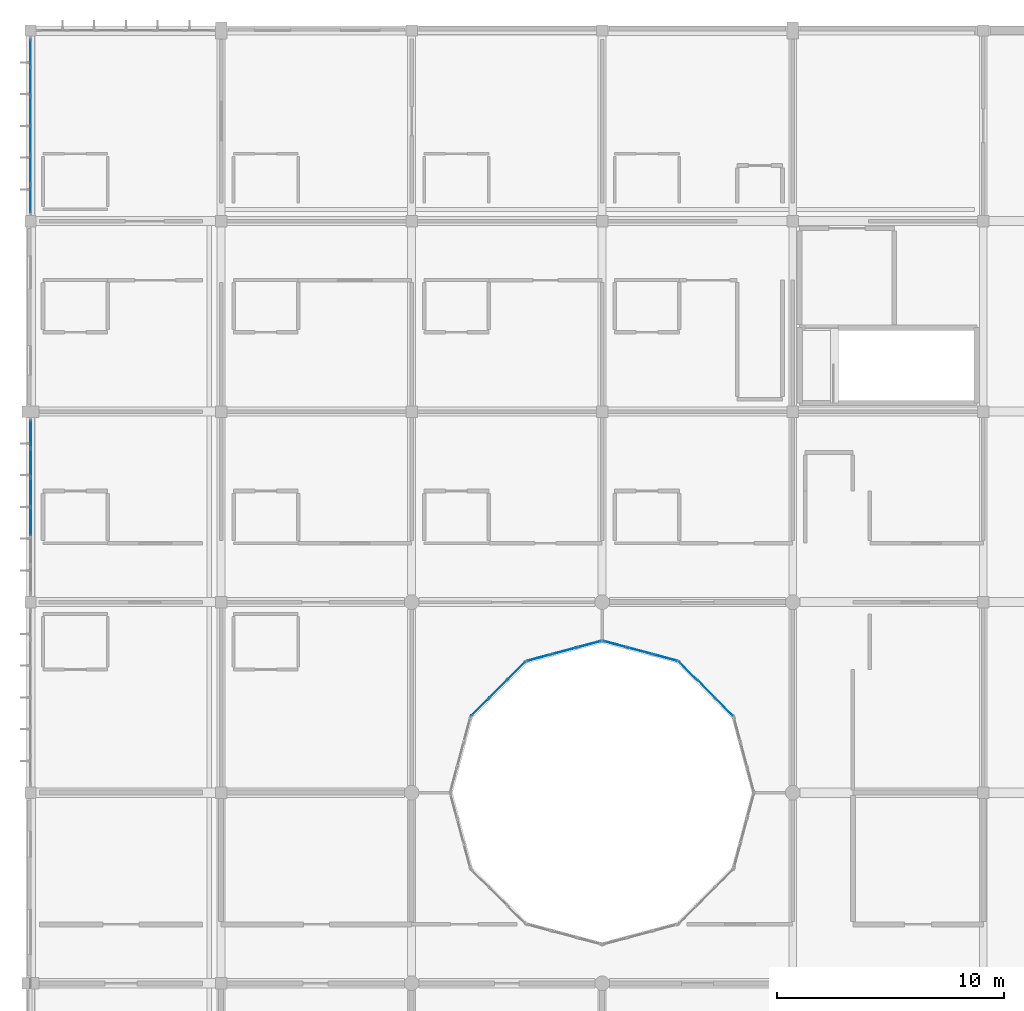
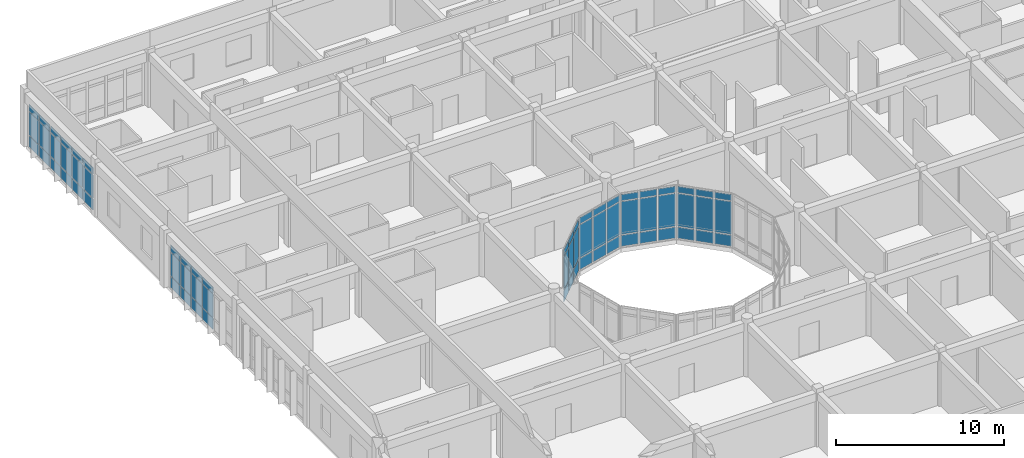
# One storey, part 64 of 119: 66 plates, 6 elements without a shape of their own.
"""IFC4 building model written with IfcOpenShell, lengths in metres."""

import ifcopenshell
import ifcopenshell.guid

model = None  # the IFC model being written
_history = None  # IfcOwnerHistory: only IFC2X3 demands one
_inside = {}  # id of a spatial element -> (the spatial element, [elements in it])
_under = {}  # id of a project, library or spatial element -> (it, [spatial elements below it])
_declared = {}  # id of a project -> (the project, [libraries it declares])
_typed = {}  # id of a type object -> (the type object, [elements of that type])
_made_of = {}  # id of a material, layer set ... -> (it, [elements and type objects made of it])


def new_model(schema):
    """Start an empty IFC model of exactly this schema.

    Asked for "IFC4X3", IfcOpenShell would pick the latest addendum, in which some entities
    have other attributes; the version numbers below select the first issue.
    IFC2X3 requires an IfcOwnerHistory on every rooted entity: one is made here for all.
    """
    global model, _history
    if schema == "IFC4X3":
        model = ifcopenshell.file(schema_version=(4, 3, 0, 0))
    else:
        model = ifcopenshell.file(schema=schema)
    _inside.clear()
    _under.clear()
    _declared.clear()
    _typed.clear()
    _made_of.clear()
    _history = None
    if model.schema == "IFC2X3":
        org = make("IfcOrganization", Name="unknown")
        user = make(
            "IfcPersonAndOrganization",
            ThePerson=make("IfcPerson", FamilyName="unknown"),
            TheOrganization=org,
        )
        app = make(
            "IfcApplication",
            ApplicationDeveloper=org,
            Version="unknown",
            ApplicationFullName="unknown",
            ApplicationIdentifier="unknown",
        )
        _history = make(
            "IfcOwnerHistory",
            OwningUser=user,
            OwningApplication=app,
            ChangeAction="ADDED",
            CreationDate=0,
        )
    return model


def make(cls, **values):
    """One entity of the class cls with the attributes given. An attribute that is None is left unset."""
    return model.create_entity(
        cls, **{name: value for name, value in values.items() if value is not None}
    )


def rooted(cls, **values):
    """An entity with a GlobalId (a new one), such as an element, a storey or a relation."""
    return make(cls, GlobalId=ifcopenshell.guid.new(), OwnerHistory=_history, **values)


def si_unit(unit_type, name, prefix=None):
    """IfcSIUnit, for example si_unit("LENGTHUNIT", "METRE", prefix="MILLI")."""
    return make("IfcSIUnit", UnitType=unit_type, Prefix=prefix, Name=name)


def assignment(units):
    """IfcUnitAssignment: the units of a project."""
    return None if units is None else make("IfcUnitAssignment", Units=units)


def point(xyz):
    """IfcCartesianPoint."""
    return None if xyz is None else make("IfcCartesianPoint", Coordinates=xyz)


def direction(xyz):
    """IfcDirection."""
    return None if xyz is None else make("IfcDirection", DirectionRatios=xyz)


def frame(location, z_axis=None, x_axis=None):
    """IfcAxis2Placement3D, a coordinate frame: its origin and axes. An axis left out is left unset."""
    return make(
        "IfcAxis2Placement3D",
        Location=point(location),
        Axis=direction(z_axis),
        RefDirection=direction(x_axis),
    )


def frame_2d(location, x_axis=None):
    """IfcAxis2Placement2D, a coordinate frame in the plane: its origin and x axis."""
    return make(
        "IfcAxis2Placement2D", Location=point(location), RefDirection=direction(x_axis)
    )


def origin():
    """The frame at (0, 0, 0) with its axes left unset."""
    return frame((0.0, 0.0, 0.0))


def origin_2d():
    """The frame at (0, 0) in the plane with its x axis left unset."""
    return frame_2d((0.0, 0.0))


def place(relative_to, where):
    """IfcLocalPlacement: puts the frame where relative to a parent placement (None: the world)."""
    return make(
        "IfcLocalPlacement", PlacementRelTo=relative_to, RelativePlacement=where
    )


def context(
    kind, dimensions, precision=None, world=None, true_north=None, identifier=None
):
    """IfcGeometricRepresentationContext, for example the 3D "Model" context."""
    return make(
        "IfcGeometricRepresentationContext",
        ContextIdentifier=identifier,
        ContextType=kind,
        CoordinateSpaceDimension=dimensions,
        Precision=precision,
        WorldCoordinateSystem=world,
        TrueNorth=true_north,
    )


def subcontext(parent, identifier, kind, view, scale=None):
    """IfcGeometricRepresentationSubContext, for example "Body" below "Model"."""
    return make(
        "IfcGeometricRepresentationSubContext",
        ContextIdentifier=identifier,
        ContextType=kind,
        ParentContext=parent,
        TargetScale=scale,
        TargetView=view,
    )


def project(units=None, contexts=None):
    """IfcProject with its units and contexts."""
    return rooted(
        "IfcProject",
        Name="project",
        RepresentationContexts=contexts,
        UnitsInContext=assignment(units),
    )


def spatial(cls, under=None, at=None, **own):
    """A site, building, storey or space (cls), placed at a placement, below another one or the project."""
    s = rooted(cls, ObjectPlacement=at, **own)
    if under is not None:
        _under.setdefault(under.id(), (under, []))[1].append(s)
    return s


def profile(cls, at=None, kind="AREA", **sizes):
    """A parametric profile (cls). Its sizes go by their IFC names, for example OverallWidth=200.0."""
    return make(cls, ProfileType=kind, Position=at, **sizes)


def rectangle(**sizes):
    """IfcRectangleProfileDef."""
    return profile("IfcRectangleProfileDef", **sizes)


def extrude(swept, where, along, depth):
    """IfcExtrudedAreaSolid: the profile swept, set in the frame where, extruded along a direction by depth."""
    return make(
        "IfcExtrudedAreaSolid",
        SweptArea=swept,
        Position=where,
        ExtrudedDirection=direction(along),
        Depth=depth,
    )


def shape(context_of_items, identifier, shape_type, items):
    """IfcShapeRepresentation: the items that make up one representation, for example the "Body"."""
    return make(
        "IfcShapeRepresentation",
        ContextOfItems=context_of_items,
        RepresentationIdentifier=identifier,
        RepresentationType=shape_type,
        Items=items,
    )


def material(Name=None, Category=None):
    """IfcMaterial."""
    return make("IfcMaterial", Name=Name, Category=Category)


def layer(
    of_material, thickness, ventilated=None, Name=None, Category=None, Priority=None
):
    """IfcMaterialLayer: one layer of a wall or slab, of a material (None: an air gap)."""
    return make(
        "IfcMaterialLayer",
        Material=of_material,
        LayerThickness=thickness,
        IsVentilated=ventilated,
        Name=Name,
        Category=Category,
        Priority=Priority,
    )


def layer_set(layers, Name=None):
    """IfcMaterialLayerSet."""
    return make("IfcMaterialLayerSet", MaterialLayers=layers, LayerSetName=Name)


def made_of(thing, what):
    """Note that an element or type object is made of a material, layer set ...; save() writes the relation."""
    if what is not None:
        _made_of.setdefault(what.id(), (what, []))[1].append(thing)
    return thing


def type_object(cls, material=None, **own):
    """A type object (cls), such as IfcWallType, which elements share."""
    return made_of(rooted(cls, **own), material)


def element(
    cls,
    number,
    at=None,
    inside=None,
    cuts=None,
    type_object=None,
    material=None,
    context=None,
    identifier="Body",
    shape_type=None,
    held_by="IfcProductDefinitionShape",
    body=None,
    shapes=None,
    **own,
):
    """One element of the class cls, such as IfcWall. Its Tag is "e" and its number.

    at: its placement. inside: the storey or other place that contains it. cuts: it is an
    opening in that element (IfcRelVoidsElement). A single representation is given by context,
    identifier, shape_type and body (its items); several are given by shapes. held_by: the class
    of the entity that holds the representations. save() writes the other relations.
    """
    e = rooted(cls, Tag="e%d" % number, ObjectPlacement=at, **own)
    if body is not None:
        shapes = [shape(context, identifier, shape_type, body)]
    if shapes is not None:
        e.Representation = make(held_by, Representations=shapes)
    if inside is not None:
        _inside.setdefault(inside.id(), (inside, []))[1].append(e)
    if cuts is not None:
        rooted(
            "IfcRelVoidsElement", RelatingBuildingElement=cuts, RelatedOpeningElement=e
        )
    if type_object is not None:
        _typed.setdefault(type_object.id(), (type_object, []))[1].append(e)
    return made_of(e, material)


def aggregate(whole, parts):
    """IfcRelAggregates: a whole, such as a stair, and the parts it consists of."""
    return rooted("IfcRelAggregates", RelatingObject=whole, RelatedObjects=parts)


def save(model, path):
    """Write the relations noted so far, then the file.

    IfcRelAggregates (storeys below a building ...), IfcRelContainedInSpatialStructure (elements
    in a storey), IfcRelDefinesByType, IfcRelAssociatesMaterial and IfcRelDeclares: one each for
    every whole, place, type object, material and project.
    """
    for whole, parts in _under.values():
        aggregate(whole, parts)
    for where, things in _inside.values():
        rooted(
            "IfcRelContainedInSpatialStructure",
            RelatedElements=things,
            RelatingStructure=where,
        )
    for kind, things in _typed.values():
        rooted("IfcRelDefinesByType", RelatedObjects=things, RelatingType=kind)
    for what, things in _made_of.values():
        rooted("IfcRelAssociatesMaterial", RelatedObjects=things, RelatingMaterial=what)
    for by, libraries in _declared.values():
        rooted("IfcRelDeclares", RelatingContext=by, RelatedDefinitions=libraries)
    model.write(path)


model = new_model("IFC4")

# Units and contexts
model_context = context("Model", 3, precision=1e-05, world=origin(), true_north=direction((0.0, 1.0)))
body_context = subcontext(model_context, "Body", "Model", "MODEL_VIEW")
ifc_project = project(units=[si_unit("LENGTHUNIT", "METRE"), si_unit("AREAUNIT", "SQUARE_METRE"), si_unit("VOLUMEUNIT", "CUBIC_METRE"), si_unit("PLANEANGLEUNIT", "RADIAN"), si_unit("MASSUNIT", "GRAM", prefix="KILO")], contexts=[model_context])

# Site, building, storey
site_placement = place(None, origin())
site = spatial("IfcSite", under=ifc_project, at=site_placement, CompositionType="ELEMENT")
building_placement = place(site_placement, origin())
building = spatial("IfcBuilding", under=site, at=building_placement, Name="Bramfleet General Hospital", CompositionType="ELEMENT")
storey_placement = place(building_placement, frame((0.0, 0.0, 14.39990234375)))
storey = spatial("IfcBuildingStorey", under=building, at=storey_placement, Name="L03", CompositionType="ELEMENT", Elevation=14.39990234375)

# Curtain wall, plates
ifc_material_1 = material(Name="Anodised aluminium and low-E triple glazing", Category="aluminium")
ifc_layer_1 = layer(ifc_material_1, 0.179931640625, Name="CWT-CW-01")
ifc_layer_set_1 = layer_set([ifc_layer_1], Name="Anodised aluminium and low-E triple glazing")
curtain_wall_type_1 = type_object("IfcCurtainWallType", Name="CWT-CW-01", PredefinedType="USERDEFINED", material=ifc_layer_set_1)
curtain_wall_1_placement = place(storey_placement, origin())
curtain_wall_1 = element("IfcCurtainWall", 1, at=curtain_wall_1_placement, inside=storey, type_object=curtain_wall_type_1, Name="L03 Curtain Wall 145", ObjectType="Unitised curtain wall", PredefinedType="USERDEFINED")
ifc_material_2 = material(Name="Low-E laminated safety glass", Category="glass")
ifc_layer_2 = layer(ifc_material_2, 0.028076171875, Name="CWP-GLZ-1")
ifc_layer_set_2 = layer_set([ifc_layer_2], Name="Low-E laminated safety glass")
plate_type_1 = type_object("IfcPlateType", Name="CWP-GLZ-1", PredefinedType="CURTAIN_PANEL", material=ifc_layer_set_2)
plate_1_placement = place(storey_placement, frame((0.0, 110.188232421875, 0.06494140625), z_axis=(0.0, 0.0, 1.0), x_axis=(0.0, 1.0, 0.0)))
plate_1 = element("IfcPlate", 2, at=plate_1_placement, type_object=plate_type_1, Name="CW-01 panel 1.1", PredefinedType="CURTAIN_PANEL", context=body_context, shape_type="SweptSolid", body=[
    extrude(rectangle(XDim=1.186767578125, YDim=0.028076171875, at=origin_2d()), origin(), (0.0, 0.0, 1.0), 0.802490234375),
])
plate_2_placement = place(storey_placement, frame((0.0, 110.188232421875, 0.9326171875), z_axis=(0.0, 0.0, 1.0), x_axis=(0.0, 1.0, 0.0)))
plate_2 = element("IfcPlate", 3, at=plate_2_placement, type_object=plate_type_1, Name="CW-01 panel 1.2", PredefinedType="CURTAIN_PANEL", context=body_context, shape_type="SweptSolid", body=[
    extrude(rectangle(XDim=1.186767578125, YDim=0.028076171875, at=origin_2d()), origin(), (0.0, 0.0, 1.0), 1.675048828125),
])
plate_3_placement = place(storey_placement, frame((0.0, 110.188232421875, 2.6728515625), z_axis=(0.0, 0.0, 1.0), x_axis=(0.0, 1.0, 0.0)))
plate_3 = element("IfcPlate", 4, at=plate_3_placement, type_object=plate_type_1, Name="CW-01 panel 1.3", PredefinedType="CURTAIN_PANEL", context=body_context, shape_type="SweptSolid", body=[
    extrude(rectangle(XDim=1.186767578125, YDim=0.028076171875, at=origin_2d()), origin(), (0.0, 0.0, 1.0), 0.452392578125),
])
plate_4_placement = place(storey_placement, frame((0.0, 111.46240234375, 0.06494140625), z_axis=(0.0, 0.0, 1.0), x_axis=(0.0, 1.0, 0.0)))
plate_4 = element("IfcPlate", 5, at=plate_4_placement, type_object=plate_type_1, Name="CW-01 panel 2.1", PredefinedType="CURTAIN_PANEL", context=body_context, shape_type="SweptSolid", body=[
    extrude(rectangle(XDim=1.2216796875, YDim=0.028076171875, at=origin_2d()), origin(), (0.0, 0.0, 1.0), 0.802490234375),
])
plate_5_placement = place(storey_placement, frame((0.0, 111.46240234375, 0.9326171875), z_axis=(0.0, 0.0, 1.0), x_axis=(0.0, 1.0, 0.0)))
plate_5 = element("IfcPlate", 6, at=plate_5_placement, type_object=plate_type_1, Name="CW-01 panel 2.2", PredefinedType="CURTAIN_PANEL", context=body_context, shape_type="SweptSolid", body=[
    extrude(rectangle(XDim=1.2216796875, YDim=0.028076171875, at=origin_2d()), origin(), (0.0, 0.0, 1.0), 1.675048828125),
])
plate_6_placement = place(storey_placement, frame((0.0, 111.46240234375, 2.6728515625), z_axis=(0.0, 0.0, 1.0), x_axis=(0.0, 1.0, 0.0)))
plate_6 = element("IfcPlate", 7, at=plate_6_placement, type_object=plate_type_1, Name="CW-01 panel 2.3", PredefinedType="CURTAIN_PANEL", context=body_context, shape_type="SweptSolid", body=[
    extrude(rectangle(XDim=1.2216796875, YDim=0.028076171875, at=origin_2d()), origin(), (0.0, 0.0, 1.0), 0.452392578125),
])
plate_7_placement = place(storey_placement, frame((0.0, 112.754150390625, 0.06494140625), z_axis=(0.0, 0.0, 1.0), x_axis=(0.0, 1.0, 0.0)))
plate_7 = element("IfcPlate", 8, at=plate_7_placement, type_object=plate_type_1, Name="CW-01 panel 3.1", PredefinedType="CURTAIN_PANEL", context=body_context, shape_type="SweptSolid", body=[
    extrude(rectangle(XDim=1.2216796875, YDim=0.028076171875, at=origin_2d()), origin(), (0.0, 0.0, 1.0), 0.802490234375),
])
plate_8_placement = place(storey_placement, frame((0.0, 112.754150390625, 0.9326171875), z_axis=(0.0, 0.0, 1.0), x_axis=(0.0, 1.0, 0.0)))
plate_8 = element("IfcPlate", 9, at=plate_8_placement, type_object=plate_type_1, Name="CW-01 panel 3.2", PredefinedType="CURTAIN_PANEL", context=body_context, shape_type="SweptSolid", body=[
    extrude(rectangle(XDim=1.2216796875, YDim=0.028076171875, at=origin_2d()), origin(), (0.0, 0.0, 1.0), 1.675048828125),
])
plate_9_placement = place(storey_placement, frame((0.0, 112.754150390625, 2.6728515625), z_axis=(0.0, 0.0, 1.0), x_axis=(0.0, 1.0, 0.0)))
plate_9 = element("IfcPlate", 10, at=plate_9_placement, type_object=plate_type_1, Name="CW-01 panel 3.3", PredefinedType="CURTAIN_PANEL", context=body_context, shape_type="SweptSolid", body=[
    extrude(rectangle(XDim=1.2216796875, YDim=0.028076171875, at=origin_2d()), origin(), (0.0, 0.0, 1.0), 0.452392578125),
])
plate_10_placement = place(storey_placement, frame((0.0, 114.0458984375, 0.06494140625), z_axis=(0.0, 0.0, 1.0), x_axis=(0.0, 1.0, 0.0)))
plate_10 = element("IfcPlate", 11, at=plate_10_placement, type_object=plate_type_1, Name="CW-01 panel 4.1", PredefinedType="CURTAIN_PANEL", context=body_context, shape_type="SweptSolid", body=[
    extrude(rectangle(XDim=1.2216796875, YDim=0.028076171875, at=origin_2d()), origin(), (0.0, 0.0, 1.0), 0.802490234375),
])
plate_11_placement = place(storey_placement, frame((0.0, 114.0458984375, 0.9326171875), z_axis=(0.0, 0.0, 1.0), x_axis=(0.0, 1.0, 0.0)))
plate_11 = element("IfcPlate", 12, at=plate_11_placement, type_object=plate_type_1, Name="CW-01 panel 4.2", PredefinedType="CURTAIN_PANEL", context=body_context, shape_type="SweptSolid", body=[
    extrude(rectangle(XDim=1.2216796875, YDim=0.028076171875, at=origin_2d()), origin(), (0.0, 0.0, 1.0), 1.675048828125),
])
plate_12_placement = place(storey_placement, frame((0.0, 114.0458984375, 2.6728515625), z_axis=(0.0, 0.0, 1.0), x_axis=(0.0, 1.0, 0.0)))
plate_12 = element("IfcPlate", 13, at=plate_12_placement, type_object=plate_type_1, Name="CW-01 panel 4.3", PredefinedType="CURTAIN_PANEL", context=body_context, shape_type="SweptSolid", body=[
    extrude(rectangle(XDim=1.2216796875, YDim=0.028076171875, at=origin_2d()), origin(), (0.0, 0.0, 1.0), 0.452392578125),
])
plate_13_placement = place(storey_placement, frame((0.0, 115.33740234375, 0.06494140625), z_axis=(0.0, 0.0, 1.0), x_axis=(0.0, 1.0, 0.0)))
plate_13 = element("IfcPlate", 14, at=plate_13_placement, type_object=plate_type_1, Name="CW-01 panel 5.1", PredefinedType="CURTAIN_PANEL", context=body_context, shape_type="SweptSolid", body=[
    extrude(rectangle(XDim=1.2216796875, YDim=0.028076171875, at=origin_2d()), origin(), (0.0, 0.0, 1.0), 0.802490234375),
])
plate_14_placement = place(storey_placement, frame((0.0, 115.33740234375, 0.9326171875), z_axis=(0.0, 0.0, 1.0), x_axis=(0.0, 1.0, 0.0)))
plate_14 = element("IfcPlate", 15, at=plate_14_placement, type_object=plate_type_1, Name="CW-01 panel 5.2", PredefinedType="CURTAIN_PANEL", context=body_context, shape_type="SweptSolid", body=[
    extrude(rectangle(XDim=1.2216796875, YDim=0.028076171875, at=origin_2d()), origin(), (0.0, 0.0, 1.0), 1.675048828125),
])
plate_15_placement = place(storey_placement, frame((0.0, 115.33740234375, 2.6728515625), z_axis=(0.0, 0.0, 1.0), x_axis=(0.0, 1.0, 0.0)))
plate_15 = element("IfcPlate", 16, at=plate_15_placement, type_object=plate_type_1, Name="CW-01 panel 5.3", PredefinedType="CURTAIN_PANEL", context=body_context, shape_type="SweptSolid", body=[
    extrude(rectangle(XDim=1.2216796875, YDim=0.028076171875, at=origin_2d()), origin(), (0.0, 0.0, 1.0), 0.452392578125),
])
plate_16_placement = place(storey_placement, frame((0.0, 116.611572265625, 0.06494140625), z_axis=(0.0, 0.0, 1.0), x_axis=(0.0, 1.0, 0.0)))
plate_16 = element("IfcPlate", 17, at=plate_16_placement, type_object=plate_type_1, Name="CW-01 panel 6.1", PredefinedType="CURTAIN_PANEL", context=body_context, shape_type="SweptSolid", body=[
    extrude(rectangle(XDim=1.186767578125, YDim=0.028076171875, at=origin_2d()), origin(), (0.0, 0.0, 1.0), 0.802490234375),
])
plate_17_placement = place(storey_placement, frame((0.0, 116.611572265625, 0.9326171875), z_axis=(0.0, 0.0, 1.0), x_axis=(0.0, 1.0, 0.0)))
plate_17 = element("IfcPlate", 18, at=plate_17_placement, type_object=plate_type_1, Name="CW-01 panel 6.2", PredefinedType="CURTAIN_PANEL", context=body_context, shape_type="SweptSolid", body=[
    extrude(rectangle(XDim=1.186767578125, YDim=0.028076171875, at=origin_2d()), origin(), (0.0, 0.0, 1.0), 1.675048828125),
])
plate_18_placement = place(storey_placement, frame((0.0, 116.611572265625, 2.6728515625), z_axis=(0.0, 0.0, 1.0), x_axis=(0.0, 1.0, 0.0)))
plate_18 = element("IfcPlate", 19, at=plate_18_placement, type_object=plate_type_1, Name="CW-01 panel 6.3", PredefinedType="CURTAIN_PANEL", context=body_context, shape_type="SweptSolid", body=[
    extrude(rectangle(XDim=1.186767578125, YDim=0.028076171875, at=origin_2d()), origin(), (0.0, 0.0, 1.0), 0.452392578125),
])
aggregate(curtain_wall_1, [plate_1, plate_2, plate_3, plate_4, plate_5, plate_6, plate_7, plate_8, plate_9, plate_10, plate_11, plate_12, plate_13, plate_14, plate_15, plate_16, plate_17, plate_18])

ifc_layer_3 = layer(ifc_material_1, 0.179931640625, Name="CWT-CW-16")
ifc_layer_set_3 = layer_set([ifc_layer_3], Name="Anodised aluminium and low-E triple glazing")
curtain_wall_type_2 = type_object("IfcCurtainWallType", Name="CWT-CW-16", PredefinedType="USERDEFINED", material=ifc_layer_set_3)
curtain_wall_2_placement = place(storey_placement, origin())
curtain_wall_2 = element("IfcCurtainWall", 20, at=curtain_wall_2_placement, inside=storey, type_object=curtain_wall_type_2, Name="L03 West Clinical Light Court Curtain Wall 8.1", ObjectType="Stick curtain wall", PredefinedType="USERDEFINED")
ifc_layer_4 = layer(ifc_material_2, 0.031982421875, Name="CWP-GLZ-2")
ifc_layer_set_4 = layer_set([ifc_layer_4], Name="Low-E laminated safety glass")
plate_type_2 = type_object("IfcPlateType", Name="CWP-GLZ-2", PredefinedType="CURTAIN_PANEL", material=ifc_layer_set_4)
plate_19_placement = place(storey_placement, frame((30.5810546875, 87.77099609375, 0.06494140625), z_axis=(0.0, 0.0, 1.0), x_axis=(-0.707106781187, 0.707106781187, 0.0)))
plate_19 = element("IfcPlate", 21, at=plate_19_placement, type_object=plate_type_2, Name="CW-16 panel 1.1", PredefinedType="CURTAIN_PANEL", context=body_context, shape_type="SweptSolid", body=[
    extrude(rectangle(XDim=1.05078125, YDim=0.031982421875, at=origin_2d()), origin(), (0.0, 0.0, 1.0), 0.802490234375),
])
plate_20_placement = place(storey_placement, frame((30.5810546875, 87.77099609375, 0.9326171875), z_axis=(0.0, 0.0, 1.0), x_axis=(-0.707106781187, 0.707106781187, 0.0)))
plate_20 = element("IfcPlate", 22, at=plate_20_placement, type_object=plate_type_2, Name="CW-16 panel 1.2", PredefinedType="CURTAIN_PANEL", context=body_context, shape_type="SweptSolid", body=[
    extrude(rectangle(XDim=1.05078125, YDim=0.031982421875, at=origin_2d()), origin(), (0.0, 0.0, 1.0), 2.375),
])
plate_21_placement = place(storey_placement, frame((30.5810546875, 87.77099609375, 3.37255859375), z_axis=(0.0, 0.0, 1.0), x_axis=(-0.707106781187, 0.707106781187, 0.0)))
plate_21 = element("IfcPlate", 23, at=plate_21_placement, type_object=plate_type_2, Name="CW-16 panel 1.3", PredefinedType="CURTAIN_PANEL", context=body_context, shape_type="SweptSolid", body=[
    extrude(rectangle(XDim=1.05078125, YDim=0.031982421875, at=origin_2d()), origin(), (0.0, 0.0, 1.0), 0.452392578125),
])
plate_22_placement = place(storey_placement, frame((29.77587890625, 88.575927734375, 0.06494140625), z_axis=(0.0, 0.0, 1.0), x_axis=(-0.707106781187, 0.707106781187, 0.0)))
plate_22 = element("IfcPlate", 24, at=plate_22_placement, type_object=plate_type_2, Name="CW-16 panel 2.1", PredefinedType="CURTAIN_PANEL", context=body_context, shape_type="SweptSolid", body=[
    extrude(rectangle(XDim=1.0859375, YDim=0.031982421875, at=origin_2d()), origin(), (0.0, 0.0, 1.0), 0.802490234375),
])
plate_23_placement = place(storey_placement, frame((29.77587890625, 88.575927734375, 0.9326171875), z_axis=(0.0, 0.0, 1.0), x_axis=(-0.707106781187, 0.707106781187, 0.0)))
plate_23 = element("IfcPlate", 25, at=plate_23_placement, type_object=plate_type_2, Name="CW-16 panel 2.2", PredefinedType="CURTAIN_PANEL", context=body_context, shape_type="SweptSolid", body=[
    extrude(rectangle(XDim=1.0859375, YDim=0.031982421875, at=origin_2d()), origin(), (0.0, 0.0, 1.0), 2.375),
])
plate_24_placement = place(storey_placement, frame((29.77587890625, 88.575927734375, 3.37255859375), z_axis=(0.0, 0.0, 1.0), x_axis=(-0.707106781187, 0.707106781187, 0.0)))
plate_24 = element("IfcPlate", 26, at=plate_24_placement, type_object=plate_type_2, Name="CW-16 panel 2.3", PredefinedType="CURTAIN_PANEL", context=body_context, shape_type="SweptSolid", body=[
    extrude(rectangle(XDim=1.0859375, YDim=0.031982421875, at=origin_2d()), origin(), (0.0, 0.0, 1.0), 0.452392578125),
])
plate_25_placement = place(storey_placement, frame((28.970947265625, 89.380859375, 0.06494140625), z_axis=(0.0, 0.0, 1.0), x_axis=(-0.707106781187, 0.707106781187, 0.0)))
plate_25 = element("IfcPlate", 27, at=plate_25_placement, type_object=plate_type_2, Name="CW-16 panel 3.1", PredefinedType="CURTAIN_PANEL", context=body_context, shape_type="SweptSolid", body=[
    extrude(rectangle(XDim=1.05078125, YDim=0.031982421875, at=origin_2d()), origin(), (0.0, 0.0, 1.0), 0.802490234375),
])
plate_26_placement = place(storey_placement, frame((28.970947265625, 89.380859375, 0.9326171875), z_axis=(0.0, 0.0, 1.0), x_axis=(-0.707106781187, 0.707106781187, 0.0)))
plate_26 = element("IfcPlate", 28, at=plate_26_placement, type_object=plate_type_2, Name="CW-16 panel 3.2", PredefinedType="CURTAIN_PANEL", context=body_context, shape_type="SweptSolid", body=[
    extrude(rectangle(XDim=1.05078125, YDim=0.031982421875, at=origin_2d()), origin(), (0.0, 0.0, 1.0), 2.375),
])
plate_27_placement = place(storey_placement, frame((28.970947265625, 89.380859375, 3.37255859375), z_axis=(0.0, 0.0, 1.0), x_axis=(-0.707106781187, 0.707106781187, 0.0)))
plate_27 = element("IfcPlate", 29, at=plate_27_placement, type_object=plate_type_2, Name="CW-16 panel 3.3", PredefinedType="CURTAIN_PANEL", context=body_context, shape_type="SweptSolid", body=[
    extrude(rectangle(XDim=1.05078125, YDim=0.031982421875, at=origin_2d()), origin(), (0.0, 0.0, 1.0), 0.452392578125),
])
aggregate(curtain_wall_2, [plate_19, plate_20, plate_21, plate_22, plate_23, plate_24, plate_25, plate_26, plate_27])

ifc_layer_5 = layer(ifc_material_1, 0.179931640625, Name="CWT-CW-17")
ifc_layer_set_5 = layer_set([ifc_layer_5], Name="Anodised aluminium and low-E triple glazing")
curtain_wall_type_3 = type_object("IfcCurtainWallType", Name="CWT-CW-17", PredefinedType="USERDEFINED", material=ifc_layer_set_5)
curtain_wall_3_placement = place(storey_placement, origin())
curtain_wall_3 = element("IfcCurtainWall", 30, at=curtain_wall_3_placement, inside=storey, type_object=curtain_wall_type_3, Name="L03 West Clinical Light Court Curtain Wall 9.1", ObjectType="Stick curtain wall", PredefinedType="USERDEFINED")
plate_28_placement = place(storey_placement, frame((27.974853515625, 89.956298828125, 0.06494140625), z_axis=(0.0, 0.0, 1.0), x_axis=(-0.965899136003, 0.25891863407, 0.0)))
plate_28 = element("IfcPlate", 31, at=plate_28_placement, type_object=plate_type_2, Name="CW-17 panel 1.1", PredefinedType="CURTAIN_PANEL", context=body_context, shape_type="SweptSolid", body=[
    extrude(rectangle(XDim=1.051025390625, YDim=0.031982421875, at=origin_2d()), origin(), (0.0, 0.0, 1.0), 0.802490234375),
])
plate_29_placement = place(storey_placement, frame((27.974853515625, 89.956298828125, 0.9326171875), z_axis=(0.0, 0.0, 1.0), x_axis=(-0.965899136003, 0.25891863407, 0.0)))
plate_29 = element("IfcPlate", 32, at=plate_29_placement, type_object=plate_type_2, Name="CW-17 panel 1.2", PredefinedType="CURTAIN_PANEL", context=body_context, shape_type="SweptSolid", body=[
    extrude(rectangle(XDim=1.051025390625, YDim=0.031982421875, at=origin_2d()), origin(), (0.0, 0.0, 1.0), 2.375),
])
plate_30_placement = place(storey_placement, frame((27.974853515625, 89.956298828125, 3.37255859375), z_axis=(0.0, 0.0, 1.0), x_axis=(-0.965899136003, 0.25891863407, 0.0)))
plate_30 = element("IfcPlate", 33, at=plate_30_placement, type_object=plate_type_2, Name="CW-17 panel 1.3", PredefinedType="CURTAIN_PANEL", context=body_context, shape_type="SweptSolid", body=[
    extrude(rectangle(XDim=1.051025390625, YDim=0.031982421875, at=origin_2d()), origin(), (0.0, 0.0, 1.0), 0.452392578125),
])
plate_31_placement = place(storey_placement, frame((26.875, 90.2509765625, 0.06494140625), z_axis=(0.0, 0.0, 1.0), x_axis=(-0.965899136003, 0.25891863407, 0.0)))
plate_31 = element("IfcPlate", 34, at=plate_31_placement, type_object=plate_type_2, Name="CW-17 panel 2.1", PredefinedType="CURTAIN_PANEL", context=body_context, shape_type="SweptSolid", body=[
    extrude(rectangle(XDim=1.086181640625, YDim=0.031982421875, at=origin_2d()), origin(), (0.0, 0.0, 1.0), 0.802490234375),
])
plate_32_placement = place(storey_placement, frame((26.875, 90.2509765625, 0.9326171875), z_axis=(0.0, 0.0, 1.0), x_axis=(-0.965899136003, 0.25891863407, 0.0)))
plate_32 = element("IfcPlate", 35, at=plate_32_placement, type_object=plate_type_2, Name="CW-17 panel 2.2", PredefinedType="CURTAIN_PANEL", context=body_context, shape_type="SweptSolid", body=[
    extrude(rectangle(XDim=1.086181640625, YDim=0.031982421875, at=origin_2d()), origin(), (0.0, 0.0, 1.0), 2.375),
])
plate_33_placement = place(storey_placement, frame((26.875, 90.2509765625, 3.37255859375), z_axis=(0.0, 0.0, 1.0), x_axis=(-0.965899136003, 0.25891863407, 0.0)))
plate_33 = element("IfcPlate", 36, at=plate_33_placement, type_object=plate_type_2, Name="CW-17 panel 2.3", PredefinedType="CURTAIN_PANEL", context=body_context, shape_type="SweptSolid", body=[
    extrude(rectangle(XDim=1.086181640625, YDim=0.031982421875, at=origin_2d()), origin(), (0.0, 0.0, 1.0), 0.452392578125),
])
plate_34_placement = place(storey_placement, frame((25.775146484375, 90.5458984375, 0.06494140625), z_axis=(0.0, 0.0, 1.0), x_axis=(-0.965899136003, 0.25891863407, 0.0)))
plate_34 = element("IfcPlate", 37, at=plate_34_placement, type_object=plate_type_2, Name="CW-17 panel 3.1", PredefinedType="CURTAIN_PANEL", context=body_context, shape_type="SweptSolid", body=[
    extrude(rectangle(XDim=1.051025390625, YDim=0.031982421875, at=origin_2d()), origin(), (0.0, 0.0, 1.0), 0.802490234375),
])
plate_35_placement = place(storey_placement, frame((25.775146484375, 90.5458984375, 0.9326171875), z_axis=(0.0, 0.0, 1.0), x_axis=(-0.965899136003, 0.25891863407, 0.0)))
plate_35 = element("IfcPlate", 38, at=plate_35_placement, type_object=plate_type_2, Name="CW-17 panel 3.2", PredefinedType="CURTAIN_PANEL", context=body_context, shape_type="SweptSolid", body=[
    extrude(rectangle(XDim=1.051025390625, YDim=0.031982421875, at=origin_2d()), origin(), (0.0, 0.0, 1.0), 2.375),
])
plate_36_placement = place(storey_placement, frame((25.775146484375, 90.5458984375, 3.37255859375), z_axis=(0.0, 0.0, 1.0), x_axis=(-0.965899136003, 0.25891863407, 0.0)))
plate_36 = element("IfcPlate", 39, at=plate_36_placement, type_object=plate_type_2, Name="CW-17 panel 3.3", PredefinedType="CURTAIN_PANEL", context=body_context, shape_type="SweptSolid", body=[
    extrude(rectangle(XDim=1.051025390625, YDim=0.031982421875, at=origin_2d()), origin(), (0.0, 0.0, 1.0), 0.452392578125),
])
aggregate(curtain_wall_3, [plate_28, plate_29, plate_30, plate_31, plate_32, plate_33, plate_34, plate_35, plate_36])

ifc_layer_6 = layer(ifc_material_1, 0.179931640625, Name="CWT-CW-18")
ifc_layer_set_6 = layer_set([ifc_layer_6], Name="Anodised aluminium and low-E triple glazing")
curtain_wall_type_4 = type_object("IfcCurtainWallType", Name="CWT-CW-18", PredefinedType="USERDEFINED", material=ifc_layer_set_6)
curtain_wall_4_placement = place(storey_placement, origin())
curtain_wall_4 = element("IfcCurtainWall", 40, at=curtain_wall_4_placement, inside=storey, type_object=curtain_wall_type_4, Name="L03 West Clinical Light Court Curtain Wall 10.1", ObjectType="Stick curtain wall", PredefinedType="USERDEFINED")
plate_37_placement = place(storey_placement, frame((24.624755859375, 90.5458984375, 0.06494140625), z_axis=(0.0, 0.0, 1.0), x_axis=(-0.965899136003, -0.25891863407, 0.0)))
plate_37 = element("IfcPlate", 41, at=plate_37_placement, type_object=plate_type_2, Name="CW-18 panel 1.1", PredefinedType="CURTAIN_PANEL", context=body_context, shape_type="SweptSolid", body=[
    extrude(rectangle(XDim=1.051025390625, YDim=0.031982421875, at=origin_2d()), origin(), (0.0, 0.0, 1.0), 0.802490234375),
])
plate_38_placement = place(storey_placement, frame((24.624755859375, 90.5458984375, 0.9326171875), z_axis=(0.0, 0.0, 1.0), x_axis=(-0.965899136003, -0.25891863407, 0.0)))
plate_38 = element("IfcPlate", 42, at=plate_38_placement, type_object=plate_type_2, Name="CW-18 panel 1.2", PredefinedType="CURTAIN_PANEL", context=body_context, shape_type="SweptSolid", body=[
    extrude(rectangle(XDim=1.051025390625, YDim=0.031982421875, at=origin_2d()), origin(), (0.0, 0.0, 1.0), 2.375),
])
plate_39_placement = place(storey_placement, frame((24.624755859375, 90.5458984375, 3.37255859375), z_axis=(0.0, 0.0, 1.0), x_axis=(-0.965899136003, -0.25891863407, 0.0)))
plate_39 = element("IfcPlate", 43, at=plate_39_placement, type_object=plate_type_2, Name="CW-18 panel 1.3", PredefinedType="CURTAIN_PANEL", context=body_context, shape_type="SweptSolid", body=[
    extrude(rectangle(XDim=1.051025390625, YDim=0.031982421875, at=origin_2d()), origin(), (0.0, 0.0, 1.0), 0.452392578125),
])
plate_40_placement = place(storey_placement, frame((23.52490234375, 90.2509765625, 0.06494140625), z_axis=(0.0, 0.0, 1.0), x_axis=(-0.965899136003, -0.25891863407, 0.0)))
plate_40 = element("IfcPlate", 44, at=plate_40_placement, type_object=plate_type_2, Name="CW-18 panel 2.1", PredefinedType="CURTAIN_PANEL", context=body_context, shape_type="SweptSolid", body=[
    extrude(rectangle(XDim=1.086181640625, YDim=0.031982421875, at=origin_2d()), origin(), (0.0, 0.0, 1.0), 0.802490234375),
])
plate_41_placement = place(storey_placement, frame((23.52490234375, 90.2509765625, 0.9326171875), z_axis=(0.0, 0.0, 1.0), x_axis=(-0.965899136003, -0.25891863407, 0.0)))
plate_41 = element("IfcPlate", 45, at=plate_41_placement, type_object=plate_type_2, Name="CW-18 panel 2.2", PredefinedType="CURTAIN_PANEL", context=body_context, shape_type="SweptSolid", body=[
    extrude(rectangle(XDim=1.086181640625, YDim=0.031982421875, at=origin_2d()), origin(), (0.0, 0.0, 1.0), 2.375),
])
plate_42_placement = place(storey_placement, frame((23.52490234375, 90.2509765625, 3.37255859375), z_axis=(0.0, 0.0, 1.0), x_axis=(-0.965899136003, -0.25891863407, 0.0)))
plate_42 = element("IfcPlate", 46, at=plate_42_placement, type_object=plate_type_2, Name="CW-18 panel 2.3", PredefinedType="CURTAIN_PANEL", context=body_context, shape_type="SweptSolid", body=[
    extrude(rectangle(XDim=1.086181640625, YDim=0.031982421875, at=origin_2d()), origin(), (0.0, 0.0, 1.0), 0.452392578125),
])
plate_43_placement = place(storey_placement, frame((22.42529296875, 89.956298828125, 0.06494140625), z_axis=(0.0, 0.0, 1.0), x_axis=(-0.965899136003, -0.25891863407, 0.0)))
plate_43 = element("IfcPlate", 47, at=plate_43_placement, type_object=plate_type_2, Name="CW-18 panel 3.1", PredefinedType="CURTAIN_PANEL", context=body_context, shape_type="SweptSolid", body=[
    extrude(rectangle(XDim=1.051025390625, YDim=0.031982421875, at=origin_2d()), origin(), (0.0, 0.0, 1.0), 0.802490234375),
])
plate_44_placement = place(storey_placement, frame((22.42529296875, 89.956298828125, 0.9326171875), z_axis=(0.0, 0.0, 1.0), x_axis=(-0.965899136003, -0.25891863407, 0.0)))
plate_44 = element("IfcPlate", 48, at=plate_44_placement, type_object=plate_type_2, Name="CW-18 panel 3.2", PredefinedType="CURTAIN_PANEL", context=body_context, shape_type="SweptSolid", body=[
    extrude(rectangle(XDim=1.051025390625, YDim=0.031982421875, at=origin_2d()), origin(), (0.0, 0.0, 1.0), 2.375),
])
plate_45_placement = place(storey_placement, frame((22.42529296875, 89.956298828125, 3.37255859375), z_axis=(0.0, 0.0, 1.0), x_axis=(-0.965899136003, -0.25891863407, 0.0)))
plate_45 = element("IfcPlate", 49, at=plate_45_placement, type_object=plate_type_2, Name="CW-18 panel 3.3", PredefinedType="CURTAIN_PANEL", context=body_context, shape_type="SweptSolid", body=[
    extrude(rectangle(XDim=1.051025390625, YDim=0.031982421875, at=origin_2d()), origin(), (0.0, 0.0, 1.0), 0.452392578125),
])
aggregate(curtain_wall_4, [plate_37, plate_38, plate_39, plate_40, plate_41, plate_42, plate_43, plate_44, plate_45])

ifc_layer_7 = layer(ifc_material_1, 0.179931640625, Name="CWT-CW-11")
ifc_layer_set_7 = layer_set([ifc_layer_7], Name="Anodised aluminium and low-E triple glazing")
curtain_wall_type_5 = type_object("IfcCurtainWallType", Name="CWT-CW-11", PredefinedType="USERDEFINED", material=ifc_layer_set_7)
curtain_wall_5_placement = place(storey_placement, origin())
curtain_wall_5 = element("IfcCurtainWall", 50, at=curtain_wall_5_placement, inside=storey, type_object=curtain_wall_type_5, Name="L03 West Clinical Light Court Curtain Wall 11.1", ObjectType="Stick curtain wall", PredefinedType="USERDEFINED")
plate_46_placement = place(storey_placement, frame((21.428955078125, 89.380859375, 0.06494140625), z_axis=(0.0, 0.0, 1.0), x_axis=(-0.707106781187, -0.707106781187, 0.0)))
plate_46 = element("IfcPlate", 51, at=plate_46_placement, type_object=plate_type_2, Name="CW-11 panel 1.1", PredefinedType="CURTAIN_PANEL", context=body_context, shape_type="SweptSolid", body=[
    extrude(rectangle(XDim=1.05078125, YDim=0.031982421875, at=origin_2d()), origin(), (0.0, 0.0, 1.0), 0.802490234375),
])
plate_47_placement = place(storey_placement, frame((21.428955078125, 89.380859375, 0.9326171875), z_axis=(0.0, 0.0, 1.0), x_axis=(-0.707106781187, -0.707106781187, 0.0)))
plate_47 = element("IfcPlate", 52, at=plate_47_placement, type_object=plate_type_2, Name="CW-11 panel 1.2", PredefinedType="CURTAIN_PANEL", context=body_context, shape_type="SweptSolid", body=[
    extrude(rectangle(XDim=1.05078125, YDim=0.031982421875, at=origin_2d()), origin(), (0.0, 0.0, 1.0), 2.375),
])
plate_48_placement = place(storey_placement, frame((21.428955078125, 89.380859375, 3.37255859375), z_axis=(0.0, 0.0, 1.0), x_axis=(-0.707106781187, -0.707106781187, 0.0)))
plate_48 = element("IfcPlate", 53, at=plate_48_placement, type_object=plate_type_2, Name="CW-11 panel 1.3", PredefinedType="CURTAIN_PANEL", context=body_context, shape_type="SweptSolid", body=[
    extrude(rectangle(XDim=1.05078125, YDim=0.031982421875, at=origin_2d()), origin(), (0.0, 0.0, 1.0), 0.452392578125),
])
plate_49_placement = place(storey_placement, frame((20.6240234375, 88.575927734375, 0.06494140625), z_axis=(0.0, 0.0, 1.0), x_axis=(-0.707106781187, -0.707106781187, 0.0)))
plate_49 = element("IfcPlate", 54, at=plate_49_placement, type_object=plate_type_2, Name="CW-11 panel 2.1", PredefinedType="CURTAIN_PANEL", context=body_context, shape_type="SweptSolid", body=[
    extrude(rectangle(XDim=1.0859375, YDim=0.031982421875, at=origin_2d()), origin(), (0.0, 0.0, 1.0), 0.802490234375),
])
plate_50_placement = place(storey_placement, frame((20.6240234375, 88.575927734375, 0.9326171875), z_axis=(0.0, 0.0, 1.0), x_axis=(-0.707106781187, -0.707106781187, 0.0)))
plate_50 = element("IfcPlate", 55, at=plate_50_placement, type_object=plate_type_2, Name="CW-11 panel 2.2", PredefinedType="CURTAIN_PANEL", context=body_context, shape_type="SweptSolid", body=[
    extrude(rectangle(XDim=1.0859375, YDim=0.031982421875, at=origin_2d()), origin(), (0.0, 0.0, 1.0), 2.375),
])
plate_51_placement = place(storey_placement, frame((20.6240234375, 88.575927734375, 3.37255859375), z_axis=(0.0, 0.0, 1.0), x_axis=(-0.707106781187, -0.707106781187, 0.0)))
plate_51 = element("IfcPlate", 56, at=plate_51_placement, type_object=plate_type_2, Name="CW-11 panel 2.3", PredefinedType="CURTAIN_PANEL", context=body_context, shape_type="SweptSolid", body=[
    extrude(rectangle(XDim=1.0859375, YDim=0.031982421875, at=origin_2d()), origin(), (0.0, 0.0, 1.0), 0.452392578125),
])
plate_52_placement = place(storey_placement, frame((19.819091796875, 87.77099609375, 0.06494140625), z_axis=(0.0, 0.0, 1.0), x_axis=(-0.707106781187, -0.707106781187, 0.0)))
plate_52 = element("IfcPlate", 57, at=plate_52_placement, type_object=plate_type_2, Name="CW-11 panel 3.1", PredefinedType="CURTAIN_PANEL", context=body_context, shape_type="SweptSolid", body=[
    extrude(rectangle(XDim=1.05078125, YDim=0.031982421875, at=origin_2d()), origin(), (0.0, 0.0, 1.0), 0.802490234375),
])
plate_53_placement = place(storey_placement, frame((19.819091796875, 87.77099609375, 0.9326171875), z_axis=(0.0, 0.0, 1.0), x_axis=(-0.707106781187, -0.707106781187, 0.0)))
plate_53 = element("IfcPlate", 58, at=plate_53_placement, type_object=plate_type_2, Name="CW-11 panel 3.2", PredefinedType="CURTAIN_PANEL", context=body_context, shape_type="SweptSolid", body=[
    extrude(rectangle(XDim=1.05078125, YDim=0.031982421875, at=origin_2d()), origin(), (0.0, 0.0, 1.0), 2.375),
])
plate_54_placement = place(storey_placement, frame((19.819091796875, 87.77099609375, 3.37255859375), z_axis=(0.0, 0.0, 1.0), x_axis=(-0.707106781187, -0.707106781187, 0.0)))
plate_54 = element("IfcPlate", 59, at=plate_54_placement, type_object=plate_type_2, Name="CW-11 panel 3.3", PredefinedType="CURTAIN_PANEL", context=body_context, shape_type="SweptSolid", body=[
    extrude(rectangle(XDim=1.05078125, YDim=0.031982421875, at=origin_2d()), origin(), (0.0, 0.0, 1.0), 0.452392578125),
])
aggregate(curtain_wall_5, [plate_46, plate_47, plate_48, plate_49, plate_50, plate_51, plate_52, plate_53, plate_54])

curtain_wall_6_placement = place(storey_placement, origin())
curtain_wall_6 = element("IfcCurtainWall", 60, at=curtain_wall_6_placement, inside=storey, type_object=curtain_wall_type_4, Name="L03 Curtain Wall 144", ObjectType="Stick curtain wall", PredefinedType="USERDEFINED")
ifc_layer_8 = layer(ifc_material_2, 0.0419921875, Name="CWP-GLZ-4")
ifc_layer_set_8 = layer_set([ifc_layer_8], Name="Low-E laminated safety glass")
plate_type_3 = type_object("IfcPlateType", Name="CWP-GLZ-4", PredefinedType="CURTAIN_PANEL", material=ifc_layer_set_8)
plate_55_placement = place(storey_placement, frame((0.0, 95.9541015625, 0.06494140625), z_axis=(0.0, 0.0, 1.0), x_axis=(0.0, 1.0, 0.0)))
plate_55 = element("IfcPlate", 61, at=plate_55_placement, type_object=plate_type_3, Name="CW-18 panel 3.1", PredefinedType="CURTAIN_PANEL", context=body_context, shape_type="SweptSolid", body=[
    extrude(rectangle(XDim=1.2216796875, YDim=0.0419921875, at=origin_2d()), origin(), (0.0, 0.0, 1.0), 0.802490234375),
])
plate_56_placement = place(storey_placement, frame((0.0, 95.9541015625, 0.9326171875), z_axis=(0.0, 0.0, 1.0), x_axis=(0.0, 1.0, 0.0)))
plate_56 = element("IfcPlate", 62, at=plate_56_placement, type_object=plate_type_3, Name="CW-18 panel 3.2", PredefinedType="CURTAIN_PANEL", context=body_context, shape_type="SweptSolid", body=[
    extrude(rectangle(XDim=1.2216796875, YDim=0.0419921875, at=origin_2d()), origin(), (0.0, 0.0, 1.0), 1.675048828125),
])
plate_57_placement = place(storey_placement, frame((0.0, 95.9541015625, 2.6728515625), z_axis=(0.0, 0.0, 1.0), x_axis=(0.0, 1.0, 0.0)))
plate_57 = element("IfcPlate", 63, at=plate_57_placement, type_object=plate_type_3, Name="CW-18 panel 3.3", PredefinedType="CURTAIN_PANEL", context=body_context, shape_type="SweptSolid", body=[
    extrude(rectangle(XDim=1.2216796875, YDim=0.0419921875, at=origin_2d()), origin(), (0.0, 0.0, 1.0), 0.452392578125),
])
plate_58_placement = place(storey_placement, frame((0.0, 97.245849609375, 0.06494140625), z_axis=(0.0, 0.0, 1.0), x_axis=(0.0, 1.0, 0.0)))
plate_58 = element("IfcPlate", 64, at=plate_58_placement, type_object=plate_type_3, Name="CW-18 panel 4.1", PredefinedType="CURTAIN_PANEL", context=body_context, shape_type="SweptSolid", body=[
    extrude(rectangle(XDim=1.2216796875, YDim=0.0419921875, at=origin_2d()), origin(), (0.0, 0.0, 1.0), 0.802490234375),
])
plate_59_placement = place(storey_placement, frame((0.0, 97.245849609375, 0.9326171875), z_axis=(0.0, 0.0, 1.0), x_axis=(0.0, 1.0, 0.0)))
plate_59 = element("IfcPlate", 65, at=plate_59_placement, type_object=plate_type_3, Name="CW-18 panel 4.2", PredefinedType="CURTAIN_PANEL", context=body_context, shape_type="SweptSolid", body=[
    extrude(rectangle(XDim=1.2216796875, YDim=0.0419921875, at=origin_2d()), origin(), (0.0, 0.0, 1.0), 1.675048828125),
])
plate_60_placement = place(storey_placement, frame((0.0, 97.245849609375, 2.6728515625), z_axis=(0.0, 0.0, 1.0), x_axis=(0.0, 1.0, 0.0)))
plate_60 = element("IfcPlate", 66, at=plate_60_placement, type_object=plate_type_3, Name="CW-18 panel 4.3", PredefinedType="CURTAIN_PANEL", context=body_context, shape_type="SweptSolid", body=[
    extrude(rectangle(XDim=1.2216796875, YDim=0.0419921875, at=origin_2d()), origin(), (0.0, 0.0, 1.0), 0.452392578125),
])
plate_61_placement = place(storey_placement, frame((0.0, 98.53759765625, 0.06494140625), z_axis=(0.0, 0.0, 1.0), x_axis=(0.0, 1.0, 0.0)))
plate_61 = element("IfcPlate", 67, at=plate_61_placement, type_object=plate_type_3, Name="CW-18 panel 5.1", PredefinedType="CURTAIN_PANEL", context=body_context, shape_type="SweptSolid", body=[
    extrude(rectangle(XDim=1.2216796875, YDim=0.0419921875, at=origin_2d()), origin(), (0.0, 0.0, 1.0), 0.802490234375),
])
plate_62_placement = place(storey_placement, frame((0.0, 98.53759765625, 0.9326171875), z_axis=(0.0, 0.0, 1.0), x_axis=(0.0, 1.0, 0.0)))
plate_62 = element("IfcPlate", 68, at=plate_62_placement, type_object=plate_type_3, Name="CW-18 panel 5.2", PredefinedType="CURTAIN_PANEL", context=body_context, shape_type="SweptSolid", body=[
    extrude(rectangle(XDim=1.2216796875, YDim=0.0419921875, at=origin_2d()), origin(), (0.0, 0.0, 1.0), 1.675048828125),
])
plate_63_placement = place(storey_placement, frame((0.0, 98.53759765625, 2.6728515625), z_axis=(0.0, 0.0, 1.0), x_axis=(0.0, 1.0, 0.0)))
plate_63 = element("IfcPlate", 69, at=plate_63_placement, type_object=plate_type_3, Name="CW-18 panel 5.3", PredefinedType="CURTAIN_PANEL", context=body_context, shape_type="SweptSolid", body=[
    extrude(rectangle(XDim=1.2216796875, YDim=0.0419921875, at=origin_2d()), origin(), (0.0, 0.0, 1.0), 0.452392578125),
])
plate_64_placement = place(storey_placement, frame((0.0, 99.811767578125, 0.06494140625), z_axis=(0.0, 0.0, 1.0), x_axis=(0.0, 1.0, 0.0)))
plate_64 = element("IfcPlate", 70, at=plate_64_placement, type_object=plate_type_3, Name="CW-18 panel 6.1", PredefinedType="CURTAIN_PANEL", context=body_context, shape_type="SweptSolid", body=[
    extrude(rectangle(XDim=1.186767578125, YDim=0.0419921875, at=origin_2d()), origin(), (0.0, 0.0, 1.0), 0.802490234375),
])
plate_65_placement = place(storey_placement, frame((0.0, 99.811767578125, 0.9326171875), z_axis=(0.0, 0.0, 1.0), x_axis=(0.0, 1.0, 0.0)))
plate_65 = element("IfcPlate", 71, at=plate_65_placement, type_object=plate_type_3, Name="CW-18 panel 6.2", PredefinedType="CURTAIN_PANEL", context=body_context, shape_type="SweptSolid", body=[
    extrude(rectangle(XDim=1.186767578125, YDim=0.0419921875, at=origin_2d()), origin(), (0.0, 0.0, 1.0), 1.675048828125),
])
plate_66_placement = place(storey_placement, frame((0.0, 99.811767578125, 2.6728515625), z_axis=(0.0, 0.0, 1.0), x_axis=(0.0, 1.0, 0.0)))
plate_66 = element("IfcPlate", 72, at=plate_66_placement, type_object=plate_type_3, Name="CW-18 panel 6.3", PredefinedType="CURTAIN_PANEL", context=body_context, shape_type="SweptSolid", body=[
    extrude(rectangle(XDim=1.186767578125, YDim=0.0419921875, at=origin_2d()), origin(), (0.0, 0.0, 1.0), 0.452392578125),
])
aggregate(curtain_wall_6, [plate_55, plate_56, plate_57, plate_58, plate_59, plate_60, plate_61, plate_62, plate_63, plate_64, plate_65, plate_66])

save(model, "model.ifc")
